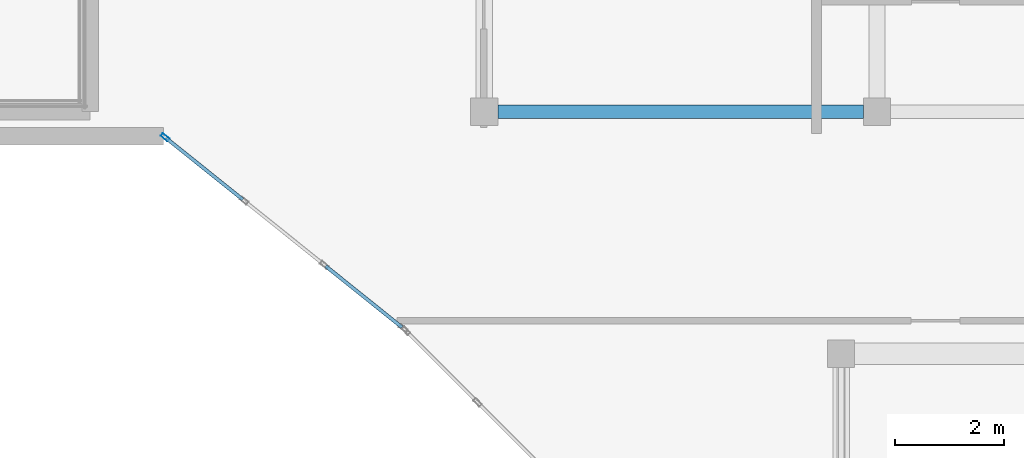
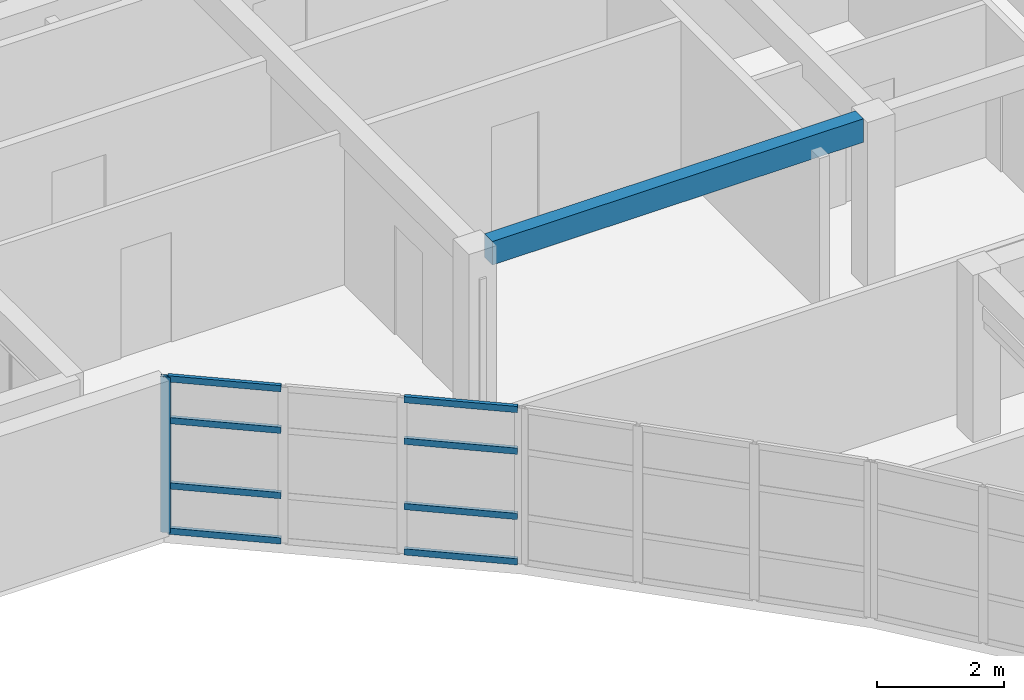
# One storey, part 13 of 39: 9 members, 1 beam, 1 element without a shape of its own.
"""IFC4 building model written with IfcOpenShell, lengths in metres."""

from ifc_helpers import new_model, si_unit, direction, frame, origin, origin_2d, place, context, subcontext, project, spatial, rectangle, hollow_rectangle, extrude, material, layer, layer_set, material_profile, profile_set, type_object, element, aggregate, save


model = new_model("IFC4")

# Units and contexts
model_context = context("Model", 3, precision=1e-05, world=origin(), true_north=direction((0.0, 1.0)))
body_context = subcontext(model_context, "Body", "Model", "MODEL_VIEW")
ifc_project = project(units=[si_unit("LENGTHUNIT", "METRE"), si_unit("AREAUNIT", "SQUARE_METRE"), si_unit("VOLUMEUNIT", "CUBIC_METRE"), si_unit("PLANEANGLEUNIT", "RADIAN"), si_unit("MASSUNIT", "GRAM", prefix="KILO")], contexts=[model_context])

# Site, building, storey
site_placement = place(None, origin())
site = spatial("IfcSite", under=ifc_project, at=site_placement, CompositionType="ELEMENT")
building_placement = place(site_placement, origin())
building = spatial("IfcBuilding", under=site, at=building_placement, Name="Keldmere Railside Commons", CompositionType="ELEMENT")
storey_placement = place(building_placement, frame((0.0, 0.0, 32.9599609375)))
storey = spatial("IfcBuildingStorey", under=building, at=storey_placement, Name="L10", CompositionType="ELEMENT", Elevation=32.9599609375)

# Beam
ifc_material_1 = material(Name="Architectural Precast Concrete H-35 (C35/45)", Category="concrete")
ifc_material_profile_1 = material_profile(ifc_material_1, rectangle(XDim=0.25, YDim=0.449951171875, at=origin_2d()), Name="RC-250x450")
ifc_profile_set_1 = profile_set([ifc_material_profile_1], Name="Architectural Precast Concrete H-35 (C35/45)")
beam_type = type_object("IfcBeamType", Name="Perimeter Precast Spandrel Beam 250x450", PredefinedType="SPANDREL", material=ifc_profile_set_1)
beam_placement = place(storey_placement, frame((162.139892578125, 100.449951171875, 2.97509765625), z_axis=(1.0, 0.0, 0.0), x_axis=(0.0, 1.0, 0.0)))
element("IfcBeam", 1, at=beam_placement, inside=storey, type_object=beam_type, Name="SPB-1 BM-L10-2387", PredefinedType="SPANDREL", context=body_context, shape_type="SweptSolid", body=[
    extrude(rectangle(XDim=0.25, YDim=0.449951171875, at=origin_2d()), origin(), (0.0, 0.0, 1.0), 6.72021484375),
])

# Curtain wall, members
ifc_material_2 = material(Name="Thermally Broken Aluminium", Category="aluminium")
ifc_layer = layer(ifc_material_2, 0.159912109375, Name="Court Chord Wintergarden CW 5400x2850")
ifc_layer_set = layer_set([ifc_layer], Name="Thermally Broken Aluminium")
curtain_wall_type = type_object("IfcCurtainWallType", Name="Court Chord Wintergarden CW 5400x2850", PredefinedType="NOTDEFINED", material=ifc_layer_set)
curtain_wall_placement = place(storey_placement, origin())
curtain_wall = element("IfcCurtainWall", 2, at=curtain_wall_placement, inside=storey, type_object=curtain_wall_type, Name="CW-13 CW-L10-187", PredefinedType="NOTDEFINED")
ifc_material_profile_2 = material_profile(ifc_material_2, hollow_rectangle(XDim=0.06494140625, YDim=0.159912109375, WallThickness=0.00390625, at=origin_2d()), Name="ALU-MULL-65x160")
ifc_profile_set_2 = profile_set([ifc_material_profile_2], Name="Thermally Broken Aluminium")
member_type_1 = type_object("IfcMemberType", Name="Unitised Curtain Wall Mullion 65x160", PredefinedType="MULLION", material=ifc_profile_set_2)
member_1_placement = place(storey_placement, frame((156.025390625, 99.979736328125, 0.0), z_axis=(0.0, 0.0, 1.0), x_axis=(-0.625768080915, -0.780009172323, 0.0)))
member_1 = element("IfcMember", 3, at=member_1_placement, type_object=member_type_1, Name="CW-13 mullion 4", PredefinedType="MULLION", context=body_context, shape_type="SweptSolid", body=[
    extrude(hollow_rectangle(XDim=0.06494140625, YDim=0.159912109375, WallThickness=0.00390625, at=origin_2d()), origin(), (0.0, 0.0, 1.0), 2.97998046875),
])
ifc_material_profile_3 = material_profile(ifc_material_2, hollow_rectangle(XDim=0.06494140625, YDim=0.1201171875, WallThickness=0.00390625, at=origin_2d()), Name="ALU-TRAN-65x120")
ifc_profile_set_3 = profile_set([ifc_material_profile_3], Name="Thermally Broken Aluminium")
member_type_2 = type_object("IfcMemberType", Name="Unitised Curtain Wall Transom 65x120", PredefinedType="USERDEFINED", material=ifc_profile_set_3)
member_2_placement = place(storey_placement, frame((160.37939453125, 96.486572265625, 0.032470703125), z_axis=(-0.779979331565, 0.625805275091, 0.0), x_axis=(-0.625805275091, -0.779979331565, 0.0)))
member_2 = element("IfcMember", 4, at=member_2_placement, type_object=member_type_2, Name="CW-13 transom 1.1", ObjectType="TRANSOM", PredefinedType="USERDEFINED", context=body_context, shape_type="SweptSolid", body=[
    extrude(hollow_rectangle(XDim=0.06494140625, YDim=0.1201171875, WallThickness=0.00390625, at=origin_2d()), origin(), (0.0, 0.0, 1.0), 1.795654296875),
])
member_3_placement = place(storey_placement, frame((160.37939453125, 96.486572265625, 0.900146484375), z_axis=(-0.779979331565, 0.625805275091, 0.0), x_axis=(-0.625805275091, -0.779979331565, 0.0)))
member_3 = element("IfcMember", 5, at=member_3_placement, type_object=member_type_2, Name="CW-13 transom 1.2", ObjectType="TRANSOM", PredefinedType="USERDEFINED", context=body_context, shape_type="SweptSolid", body=[
    extrude(hollow_rectangle(XDim=0.06494140625, YDim=0.1201171875, WallThickness=0.00390625, at=origin_2d()), origin(), (0.0, 0.0, 1.0), 1.795654296875),
])
member_4_placement = place(storey_placement, frame((160.37939453125, 96.486572265625, 2.150146484375), z_axis=(-0.779979331565, 0.625805275091, 0.0), x_axis=(-0.625805275091, -0.779979331565, 0.0)))
member_4 = element("IfcMember", 6, at=member_4_placement, type_object=member_type_2, Name="CW-13 transom 1.3", ObjectType="TRANSOM", PredefinedType="USERDEFINED", context=body_context, shape_type="SweptSolid", body=[
    extrude(hollow_rectangle(XDim=0.06494140625, YDim=0.1201171875, WallThickness=0.00390625, at=origin_2d()), origin(), (0.0, 0.0, 1.0), 1.795654296875),
])
member_5_placement = place(storey_placement, frame((160.37939453125, 96.486572265625, 2.947509765625), z_axis=(-0.779979331565, 0.625805275091, 0.0), x_axis=(-0.625805275091, -0.779979331565, 0.0)))
member_5 = element("IfcMember", 7, at=member_5_placement, type_object=member_type_2, Name="CW-13 transom 1.4", ObjectType="TRANSOM", PredefinedType="USERDEFINED", context=body_context, shape_type="SweptSolid", body=[
    extrude(hollow_rectangle(XDim=0.06494140625, YDim=0.1201171875, WallThickness=0.00390625, at=origin_2d()), origin(), (0.0, 0.0, 1.0), 1.795654296875),
])
member_6_placement = place(storey_placement, frame((157.451416015625, 98.835693359375, 0.032470703125), z_axis=(-0.780045694992, 0.625722553313, 0.0), x_axis=(-0.625722553313, -0.780045694992, 0.0)))
member_6 = element("IfcMember", 8, at=member_6_placement, type_object=member_type_2, Name="CW-13 transom 3.1", ObjectType="TRANSOM", PredefinedType="USERDEFINED", context=body_context, shape_type="SweptSolid", body=[
    extrude(hollow_rectangle(XDim=0.06494140625, YDim=0.1201171875, WallThickness=0.00390625, at=origin_2d()), origin(), (0.0, 0.0, 1.0), 1.795654296875),
])
member_7_placement = place(storey_placement, frame((157.451416015625, 98.835693359375, 0.900146484375), z_axis=(-0.780045694992, 0.625722553313, 0.0), x_axis=(-0.625722553313, -0.780045694992, 0.0)))
member_7 = element("IfcMember", 9, at=member_7_placement, type_object=member_type_2, Name="CW-13 transom 3.2", ObjectType="TRANSOM", PredefinedType="USERDEFINED", context=body_context, shape_type="SweptSolid", body=[
    extrude(hollow_rectangle(XDim=0.06494140625, YDim=0.1201171875, WallThickness=0.00390625, at=origin_2d()), origin(), (0.0, 0.0, 1.0), 1.795654296875),
])
member_8_placement = place(storey_placement, frame((157.451416015625, 98.835693359375, 2.150146484375), z_axis=(-0.780045694992, 0.625722553313, 0.0), x_axis=(-0.625722553313, -0.780045694992, 0.0)))
member_8 = element("IfcMember", 10, at=member_8_placement, type_object=member_type_2, Name="CW-13 transom 3.3", ObjectType="TRANSOM", PredefinedType="USERDEFINED", context=body_context, shape_type="SweptSolid", body=[
    extrude(hollow_rectangle(XDim=0.06494140625, YDim=0.1201171875, WallThickness=0.00390625, at=origin_2d()), origin(), (0.0, 0.0, 1.0), 1.795654296875),
])
member_9_placement = place(storey_placement, frame((157.451416015625, 98.835693359375, 2.947509765625), z_axis=(-0.780045694992, 0.625722553313, 0.0), x_axis=(-0.625722553313, -0.780045694992, 0.0)))
member_9 = element("IfcMember", 11, at=member_9_placement, type_object=member_type_2, Name="CW-13 transom 3.4", ObjectType="TRANSOM", PredefinedType="USERDEFINED", context=body_context, shape_type="SweptSolid", body=[
    extrude(hollow_rectangle(XDim=0.06494140625, YDim=0.1201171875, WallThickness=0.00390625, at=origin_2d()), origin(), (0.0, 0.0, 1.0), 1.795654296875),
])
aggregate(curtain_wall, [member_1, member_2, member_3, member_4, member_5, member_6, member_7, member_8, member_9])

save(model, "model.ifc")
